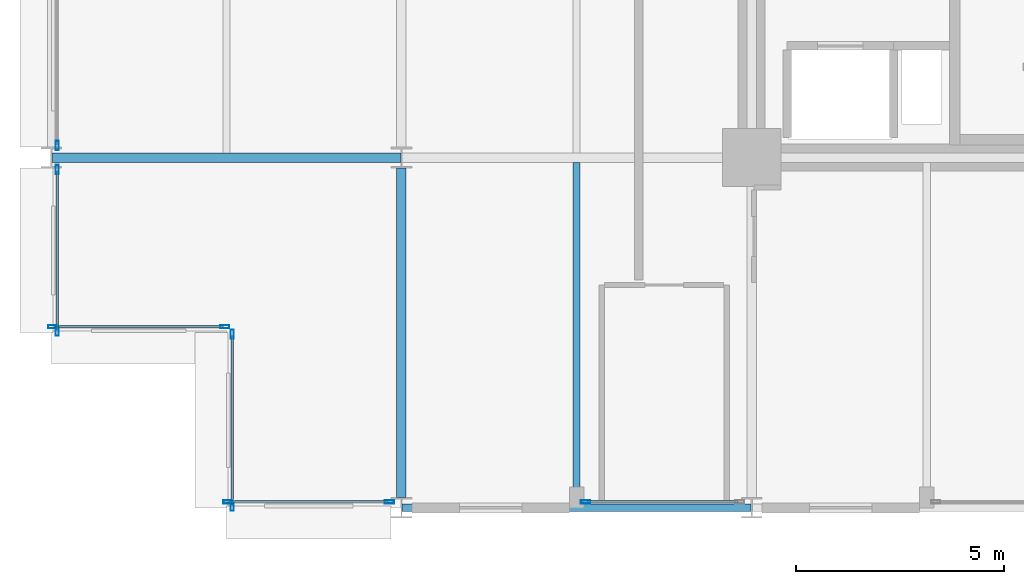
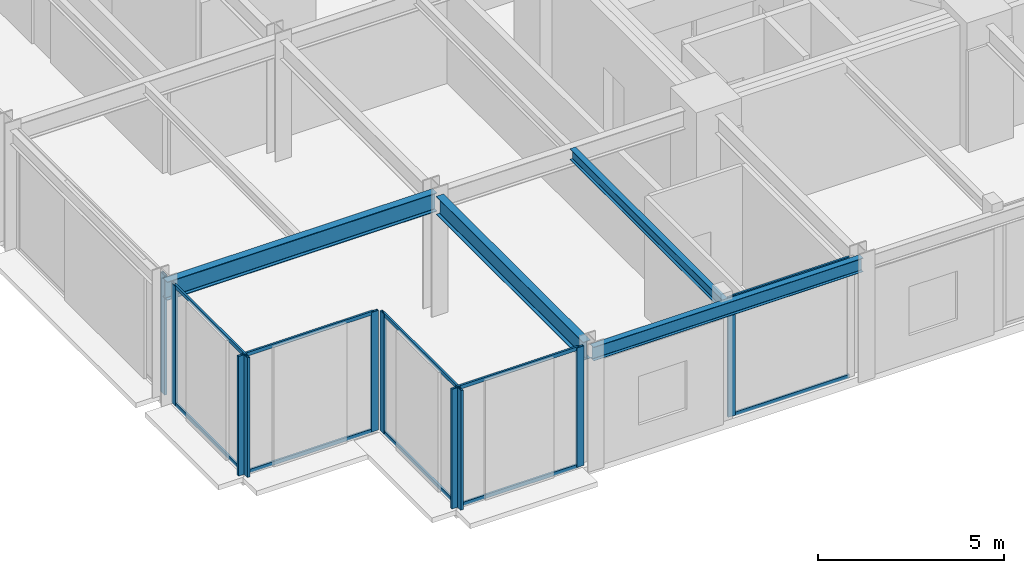
# One storey, part 2 of 25: 20 members, 4 beams, 6 elements without a shape of their own.
"""IFC4 building model written with IfcOpenShell, lengths in metres."""

from ifc_helpers import new_model, si_unit, direction, frame, origin, origin_2d, place, context, subcontext, project, spatial, hollow_rectangle, i_section, extrude, material, layer, layer_set, material_profile, profile_set, type_object, element, aggregate, save


model = new_model("IFC4")

# Units and contexts
model_context = context("Model", 3, precision=1e-05, world=origin(), true_north=direction((0.0, 1.0)))
body_context = subcontext(model_context, "Body", "Model", "MODEL_VIEW")
ifc_project = project(units=[si_unit("LENGTHUNIT", "METRE"), si_unit("AREAUNIT", "SQUARE_METRE"), si_unit("VOLUMEUNIT", "CUBIC_METRE"), si_unit("PLANEANGLEUNIT", "RADIAN"), si_unit("MASSUNIT", "GRAM", prefix="KILO")], contexts=[model_context])

# Site, building, storey
site_placement = place(None, origin())
site = spatial("IfcSite", under=ifc_project, at=site_placement, CompositionType="ELEMENT")
building_placement = place(site_placement, origin())
building = spatial("IfcBuilding", under=site, at=building_placement, Name="Nerrivon Quay Data Exchange", CompositionType="ELEMENT")
storey_placement = place(building_placement, frame((0.0, 0.0, 54.199951171875)))
storey = spatial("IfcBuildingStorey", under=building, at=storey_placement, Name="L12", CompositionType="ELEMENT", Elevation=54.199951171875)

# Beams
ifc_material_1 = material(Name="Steel Grade 350", Category="steel")
ifc_material_profile_1 = material_profile(ifc_material_1, i_section(OverallWidth=0.22900390625, OverallDepth=0.612060546875, WebThickness=0.011962890625, FlangeThickness=0.01953125, FilletRadius=0.013916015625, at=origin_2d()), Name="610UB125")
ifc_profile_set_1 = profile_set([ifc_material_profile_1], Name="Steel Grade 350")
beam_type_1 = type_object("IfcBeamType", Name="BM-G1-610UB125", PredefinedType="BEAM", material=ifc_profile_set_1)
beam_1_placement = place(storey_placement, frame((0.013916015625, 8.39990234375, 3.619140625), z_axis=(1.0, 0.0, 0.0), x_axis=(0.0, 1.0, 0.0)))
element("IfcBeam", 1, at=beam_1_placement, inside=storey, type_object=beam_type_1, Name="L12 EW Girder Y=8.4 (0.0..8.4)", PredefinedType="BEAM", context=body_context, shape_type="SweptSolid", body=[
    extrude(i_section(OverallWidth=0.22900390625, OverallDepth=0.612060546875, WebThickness=0.011962890625, FlangeThickness=0.01953125, FilletRadius=0.013916015625, at=origin_2d()), origin(), (0.0, 0.0, 1.0), 8.3720703125),
])
ifc_material_profile_2 = material_profile(ifc_material_1, i_section(OverallWidth=0.22802734375, OverallDepth=0.60205078125, WebThickness=0.010498046875, FlangeThickness=0.014892578125, FilletRadius=0.013916015625, at=origin_2d()), Name="610UB101")
ifc_profile_set_2 = profile_set([ifc_material_profile_2], Name="Steel Grade 350")
beam_type_2 = type_object("IfcBeamType", Name="BM-G2-610UB101", PredefinedType="BEAM", material=ifc_profile_set_2)
beam_2_placement = place(storey_placement, frame((8.39990234375, 0.25, 3.6240234375), z_axis=(0.0, 1.0, 0.0), x_axis=(-1.0, 0.0, 0.0)))
element("IfcBeam", 2, at=beam_2_placement, inside=storey, type_object=beam_type_2, Name="L12 NS Girder X=8.4 (0.0..8.4)", PredefinedType="BEAM", context=body_context, shape_type="SweptSolid", body=[
    extrude(i_section(OverallWidth=0.22802734375, OverallDepth=0.60205078125, WebThickness=0.010498046875, FlangeThickness=0.014892578125, FilletRadius=0.013916015625, at=origin_2d()), origin(), (0.0, 0.0, 1.0), 7.89990234375),
])
ifc_material_profile_3 = material_profile(ifc_material_1, i_section(OverallWidth=0.172119140625, OverallDepth=0.35888671875, WebThickness=0.008056640625, FlangeThickness=0.012939453125, FilletRadius=0.011474609375, at=origin_2d()), Name="360UB56.7")
ifc_profile_set_3 = profile_set([ifc_material_profile_3], Name="Steel Grade 350")
beam_type_3 = type_object("IfcBeamType", Name="BM-J3-360UB57", PredefinedType="JOIST", material=ifc_profile_set_3)
beam_3_placement = place(storey_placement, frame((12.60009765625, 0.094970703125, 3.74560546875), z_axis=(0.0, 1.0, 0.0), x_axis=(-1.0, 0.0, 0.0)))
element("IfcBeam", 3, at=beam_3_placement, inside=storey, type_object=beam_type_3, Name="L12 Secondary Joist X=12.6 (0.0..8.4)", PredefinedType="JOIST", context=body_context, shape_type="SweptSolid", body=[
    extrude(i_section(OverallWidth=0.172119140625, OverallDepth=0.35888671875, WebThickness=0.008056640625, FlangeThickness=0.012939453125, FilletRadius=0.011474609375, at=origin_2d()), origin(), (0.0, 0.0, 1.0), 8.1904296875),
])
ifc_material_profile_4 = material_profile(ifc_material_1, i_section(OverallWidth=0.18994140625, OverallDepth=0.4541015625, WebThickness=0.008544921875, FlangeThickness=0.0126953125, FilletRadius=0.011474609375, at=origin_2d()), Name="460UB67.1")
ifc_profile_set_4 = profile_set([ifc_material_profile_4], Name="Steel Grade 350")
beam_type_4 = type_object("IfcBeamType", Name="BM-SP1-460UB67", PredefinedType="SPANDREL", material=ifc_profile_set_4)
beam_4_placement = place(storey_placement, frame((8.4140625, 0.0, 3.697998046875), z_axis=(1.0, 0.0, 0.0), x_axis=(0.0, 1.0, 0.0)))
element("IfcBeam", 4, at=beam_4_placement, inside=storey, type_object=beam_type_4, Name="L12 EW Girder Y=0.0 (8.4..16.8)", PredefinedType="SPANDREL", context=body_context, shape_type="SweptSolid", body=[
    extrude(i_section(OverallWidth=0.18994140625, OverallDepth=0.4541015625, WebThickness=0.008544921875, FlangeThickness=0.0126953125, FilletRadius=0.011474609375, at=origin_2d()), origin(), (0.0, 0.0, 1.0), 8.371826171875),
])

# Curtain wall, member
ifc_material_2 = material(Name="Anodised aluminium 6063-T6", Category="aluminium")
ifc_layer = layer(ifc_material_2, 0.219970703125)
ifc_layer_set = layer_set([ifc_layer], Name="Anodised aluminium 6063-T6")
curtain_wall_type = type_object("IfcCurtainWallType", Name="CW-SYS-01", PredefinedType="NOTDEFINED", material=ifc_layer_set)
curtain_wall_1_placement = place(storey_placement, origin())
curtain_wall_1 = element("IfcCurtainWall", 5, at=curtain_wall_1_placement, inside=storey, type_object=curtain_wall_type, Name="L12 Unitised Curtain Wall 8", PredefinedType="NOTDEFINED")
ifc_material_profile_5 = material_profile(ifc_material_2, hollow_rectangle(XDim=0.074951171875, YDim=0.219970703125, WallThickness=0.00390625, at=origin_2d()), Name="ALU-MULL-220x75")
ifc_profile_set_5 = profile_set([ifc_material_profile_5], Name="Anodised aluminium 6063-T6")
member_type_1 = type_object("IfcMemberType", Name="CWM-220x75", PredefinedType="MULLION", material=ifc_profile_set_5)
member_1_placement = place(storey_placement, frame((12.8125, 0.139892578125, 0.0), z_axis=(0.0, 0.0, 1.0), x_axis=(0.0, -1.0, 0.0)))
member_1 = element("IfcMember", 6, at=member_1_placement, type_object=member_type_1, Name="CW01 mullion 2", PredefinedType="MULLION", context=body_context, shape_type="SweptSolid", body=[
    extrude(hollow_rectangle(XDim=0.074951171875, YDim=0.219970703125, WallThickness=0.00390625, at=origin_2d()), origin(), (0.0, 0.0, 1.0), 3.925048828125),
])

# Curtain wall, members
curtain_wall_2_placement = place(storey_placement, origin())
curtain_wall_2 = element("IfcCurtainWall", 7, at=curtain_wall_2_placement, inside=storey, type_object=curtain_wall_type, Name="L12 Unitised Curtain Wall 10", PredefinedType="NOTDEFINED")
member_2_placement = place(storey_placement, frame((8.112548828125, 0.139892578125, 0.0), z_axis=(0.0, 0.0, 1.0), x_axis=(0.0, -1.0, 0.0)))
member_2 = element("IfcMember", 8, at=member_2_placement, type_object=member_type_1, Name="CW01 mullion 1", PredefinedType="MULLION", context=body_context, shape_type="SweptSolid", body=[
    extrude(hollow_rectangle(XDim=0.074951171875, YDim=0.219970703125, WallThickness=0.00390625, at=origin_2d()), origin(), (0.0, 0.0, 1.0), 3.925048828125),
])
member_3_placement = place(storey_placement, frame((4.237548828125, 0.139892578125, 0.0), z_axis=(0.0, 0.0, 1.0), x_axis=(0.0, -1.0, 0.0)))
member_3 = element("IfcMember", 9, at=member_3_placement, type_object=member_type_1, Name="CW01 mullion 2", PredefinedType="MULLION", context=body_context, shape_type="SweptSolid", body=[
    extrude(hollow_rectangle(XDim=0.074951171875, YDim=0.219970703125, WallThickness=0.00390625, at=origin_2d()), origin(), (0.0, 0.0, 1.0), 3.925048828125),
])

curtain_wall_3_placement = place(storey_placement, origin())
curtain_wall_3 = element("IfcCurtainWall", 10, at=curtain_wall_3_placement, inside=storey, type_object=curtain_wall_type, Name="L12 Unitised Curtain Wall 11", PredefinedType="NOTDEFINED")
member_4_placement = place(storey_placement, frame((4.340087890625, 0.03759765625, 0.0), z_axis=(0.0, 0.0, 1.0), x_axis=(-1.0, 0.0, 0.0)))
member_4 = element("IfcMember", 11, at=member_4_placement, type_object=member_type_1, Name="CW01 mullion 1", PredefinedType="MULLION", context=body_context, shape_type="SweptSolid", body=[
    extrude(hollow_rectangle(XDim=0.074951171875, YDim=0.219970703125, WallThickness=0.00390625, at=origin_2d()), origin(), (0.0, 0.0, 1.0), 3.925048828125),
])
member_5_placement = place(storey_placement, frame((4.340087890625, 4.16259765625, 0.0), z_axis=(0.0, 0.0, 1.0), x_axis=(-1.0, 0.0, 0.0)))
member_5 = element("IfcMember", 12, at=member_5_placement, type_object=member_type_1, Name="CW01 mullion 2", PredefinedType="MULLION", context=body_context, shape_type="SweptSolid", body=[
    extrude(hollow_rectangle(XDim=0.074951171875, YDim=0.219970703125, WallThickness=0.00390625, at=origin_2d()), origin(), (0.0, 0.0, 1.0), 3.925048828125),
])

curtain_wall_4_placement = place(storey_placement, origin())
curtain_wall_4 = element("IfcCurtainWall", 13, at=curtain_wall_4_placement, inside=storey, type_object=curtain_wall_type, Name="L12 Unitised Curtain Wall 12", PredefinedType="NOTDEFINED")
member_6_placement = place(storey_placement, frame((4.16259765625, 4.340087890625, 0.0), z_axis=(0.0, 0.0, 1.0), x_axis=(0.0, -1.0, 0.0)))
member_6 = element("IfcMember", 14, at=member_6_placement, type_object=member_type_1, Name="CW01 mullion 1", PredefinedType="MULLION", context=body_context, shape_type="SweptSolid", body=[
    extrude(hollow_rectangle(XDim=0.074951171875, YDim=0.219970703125, WallThickness=0.00390625, at=origin_2d()), origin(), (0.0, 0.0, 1.0), 3.925048828125),
])
member_7_placement = place(storey_placement, frame((0.03759765625, 4.340087890625, 0.0), z_axis=(0.0, 0.0, 1.0), x_axis=(0.0, -1.0, 0.0)))
member_7 = element("IfcMember", 15, at=member_7_placement, type_object=member_type_1, Name="CW01 mullion 2", PredefinedType="MULLION", context=body_context, shape_type="SweptSolid", body=[
    extrude(hollow_rectangle(XDim=0.074951171875, YDim=0.219970703125, WallThickness=0.00390625, at=origin_2d()), origin(), (0.0, 0.0, 1.0), 3.925048828125),
])

curtain_wall_5_placement = place(storey_placement, origin())
curtain_wall_5 = element("IfcCurtainWall", 16, at=curtain_wall_5_placement, inside=storey, type_object=curtain_wall_type, Name="L12 Unitised Curtain Wall 13", PredefinedType="NOTDEFINED")
member_8_placement = place(storey_placement, frame((0.139892578125, 4.237548828125, 0.0), z_axis=(0.0, 0.0, 1.0), x_axis=(-1.0, 0.0, 0.0)))
member_8 = element("IfcMember", 17, at=member_8_placement, type_object=member_type_1, Name="CW01 mullion 1", PredefinedType="MULLION", context=body_context, shape_type="SweptSolid", body=[
    extrude(hollow_rectangle(XDim=0.074951171875, YDim=0.219970703125, WallThickness=0.00390625, at=origin_2d()), origin(), (0.0, 0.0, 1.0), 3.925048828125),
])
member_9_placement = place(storey_placement, frame((0.139892578125, 8.112548828125, 0.0), z_axis=(0.0, 0.0, 1.0), x_axis=(-1.0, 0.0, 0.0)))
member_9 = element("IfcMember", 18, at=member_9_placement, type_object=member_type_1, Name="CW01 mullion 2", PredefinedType="MULLION", context=body_context, shape_type="SweptSolid", body=[
    extrude(hollow_rectangle(XDim=0.074951171875, YDim=0.219970703125, WallThickness=0.00390625, at=origin_2d()), origin(), (0.0, 0.0, 1.0), 3.925048828125),
])

# Curtain wall, member
curtain_wall_6_placement = place(storey_placement, origin())
curtain_wall_6 = element("IfcCurtainWall", 19, at=curtain_wall_6_placement, inside=storey, type_object=curtain_wall_type, Name="L12 Unitised Curtain Wall 14", PredefinedType="NOTDEFINED")
member_10_placement = place(storey_placement, frame((0.139892578125, 8.6875, 0.0), z_axis=(0.0, 0.0, 1.0), x_axis=(-1.0, 0.0, 0.0)))
member_10 = element("IfcMember", 20, at=member_10_placement, type_object=member_type_1, Name="CW01 mullion 1", PredefinedType="MULLION", context=body_context, shape_type="SweptSolid", body=[
    extrude(hollow_rectangle(XDim=0.074951171875, YDim=0.219970703125, WallThickness=0.00390625, at=origin_2d()), origin(), (0.0, 0.0, 1.0), 3.925048828125),
])
aggregate(curtain_wall_6, [member_10])

# Member
ifc_material_profile_6 = material_profile(ifc_material_2, hollow_rectangle(XDim=0.06005859375, YDim=0.1201171875, WallThickness=0.003173828125, at=origin_2d()), Name="ALU-TRAN-120x60")
ifc_profile_set_6 = profile_set([ifc_material_profile_6], Name="Anodised aluminium 6063-T6")
member_type_2 = type_object("IfcMemberType", Name="CWT-120x60", PredefinedType="USERDEFINED", material=ifc_profile_set_6)
member_11_placement = place(storey_placement, frame((16.47509765625, 0.139892578125, 0.032470703125), z_axis=(-1.0, 0.0, 0.0), x_axis=(0.0, -1.0, 0.0)))
member_11 = element("IfcMember", 21, at=member_11_placement, type_object=member_type_2, Name="CW01 transom 1.1", ObjectType="TRANSOM", PredefinedType="USERDEFINED", context=body_context, shape_type="SweptSolid", body=[
    extrude(hollow_rectangle(XDim=0.06005859375, YDim=0.1201171875, WallThickness=0.003173828125, at=origin_2d()), origin(), (0.0, 0.0, 1.0), 3.625),
])

member_12_placement = place(storey_placement, frame((16.47509765625, 0.139892578125, 3.892578125), z_axis=(-1.0, 0.0, 0.0), x_axis=(0.0, -1.0, 0.0)))
member_12 = element("IfcMember", 22, at=member_12_placement, type_object=member_type_2, Name="CW01 transom 1.2", ObjectType="TRANSOM", PredefinedType="USERDEFINED", context=body_context, shape_type="SweptSolid", body=[
    extrude(hollow_rectangle(XDim=0.06005859375, YDim=0.1201171875, WallThickness=0.003173828125, at=origin_2d()), origin(), (0.0, 0.0, 1.0), 3.625),
])

aggregate(curtain_wall_1, [member_1, member_11, member_12])

member_13_placement = place(storey_placement, frame((8.074951171875, 0.139892578125, 0.032470703125), z_axis=(-1.0, 0.0, 0.0), x_axis=(0.0, -1.0, 0.0)))
member_13 = element("IfcMember", 23, at=member_13_placement, type_object=member_type_2, Name="CW01 transom 1.1", ObjectType="TRANSOM", PredefinedType="USERDEFINED", context=body_context, shape_type="SweptSolid", body=[
    extrude(hollow_rectangle(XDim=0.06005859375, YDim=0.1201171875, WallThickness=0.003173828125, at=origin_2d()), origin(), (0.0, 0.0, 1.0), 3.800048828125),
])

member_14_placement = place(storey_placement, frame((8.074951171875, 0.139892578125, 3.892578125), z_axis=(-1.0, 0.0, 0.0), x_axis=(0.0, -1.0, 0.0)))
member_14 = element("IfcMember", 24, at=member_14_placement, type_object=member_type_2, Name="CW01 transom 1.2", ObjectType="TRANSOM", PredefinedType="USERDEFINED", context=body_context, shape_type="SweptSolid", body=[
    extrude(hollow_rectangle(XDim=0.06005859375, YDim=0.1201171875, WallThickness=0.003173828125, at=origin_2d()), origin(), (0.0, 0.0, 1.0), 3.800048828125),
])

aggregate(curtain_wall_2, [member_2, member_3, member_13, member_14])

member_15_placement = place(storey_placement, frame((4.340087890625, 0.074951171875, 0.032470703125), z_axis=(0.0, 1.0, 0.0), x_axis=(-1.0, 0.0, 0.0)))
member_15 = element("IfcMember", 25, at=member_15_placement, type_object=member_type_2, Name="CW01 transom 1.1", ObjectType="TRANSOM", PredefinedType="USERDEFINED", context=body_context, shape_type="SweptSolid", body=[
    extrude(hollow_rectangle(XDim=0.06005859375, YDim=0.1201171875, WallThickness=0.003173828125, at=origin_2d()), origin(), (0.0, 0.0, 1.0), 4.050048828125),
])

member_16_placement = place(storey_placement, frame((4.340087890625, 0.074951171875, 3.892578125), z_axis=(0.0, 1.0, 0.0), x_axis=(-1.0, 0.0, 0.0)))
member_16 = element("IfcMember", 26, at=member_16_placement, type_object=member_type_2, Name="CW01 transom 1.2", ObjectType="TRANSOM", PredefinedType="USERDEFINED", context=body_context, shape_type="SweptSolid", body=[
    extrude(hollow_rectangle(XDim=0.06005859375, YDim=0.1201171875, WallThickness=0.003173828125, at=origin_2d()), origin(), (0.0, 0.0, 1.0), 4.050048828125),
])

aggregate(curtain_wall_3, [member_4, member_5, member_15, member_16])

member_17_placement = place(storey_placement, frame((4.125, 4.340087890625, 0.032470703125), z_axis=(-1.0, 0.0, 0.0), x_axis=(0.0, -1.0, 0.0)))
member_17 = element("IfcMember", 27, at=member_17_placement, type_object=member_type_2, Name="CW01 transom 1.1", ObjectType="TRANSOM", PredefinedType="USERDEFINED", context=body_context, shape_type="SweptSolid", body=[
    extrude(hollow_rectangle(XDim=0.06005859375, YDim=0.1201171875, WallThickness=0.003173828125, at=origin_2d()), origin(), (0.0, 0.0, 1.0), 4.050048828125),
])

member_18_placement = place(storey_placement, frame((4.125, 4.340087890625, 3.892578125), z_axis=(-1.0, 0.0, 0.0), x_axis=(0.0, -1.0, 0.0)))
member_18 = element("IfcMember", 28, at=member_18_placement, type_object=member_type_2, Name="CW01 transom 1.2", ObjectType="TRANSOM", PredefinedType="USERDEFINED", context=body_context, shape_type="SweptSolid", body=[
    extrude(hollow_rectangle(XDim=0.06005859375, YDim=0.1201171875, WallThickness=0.003173828125, at=origin_2d()), origin(), (0.0, 0.0, 1.0), 4.050048828125),
])

aggregate(curtain_wall_4, [member_6, member_7, member_17, member_18])

member_19_placement = place(storey_placement, frame((0.139892578125, 4.27490234375, 0.032470703125), z_axis=(0.0, 1.0, 0.0), x_axis=(-1.0, 0.0, 0.0)))
member_19 = element("IfcMember", 29, at=member_19_placement, type_object=member_type_2, Name="CW01 transom 1.1", ObjectType="TRANSOM", PredefinedType="USERDEFINED", context=body_context, shape_type="SweptSolid", body=[
    extrude(hollow_rectangle(XDim=0.06005859375, YDim=0.1201171875, WallThickness=0.003173828125, at=origin_2d()), origin(), (0.0, 0.0, 1.0), 3.800048828125),
])

member_20_placement = place(storey_placement, frame((0.139892578125, 4.27490234375, 3.892578125), z_axis=(0.0, 1.0, 0.0), x_axis=(-1.0, 0.0, 0.0)))
member_20 = element("IfcMember", 30, at=member_20_placement, type_object=member_type_2, Name="CW01 transom 1.2", ObjectType="TRANSOM", PredefinedType="USERDEFINED", context=body_context, shape_type="SweptSolid", body=[
    extrude(hollow_rectangle(XDim=0.06005859375, YDim=0.1201171875, WallThickness=0.003173828125, at=origin_2d()), origin(), (0.0, 0.0, 1.0), 3.800048828125),
])

aggregate(curtain_wall_5, [member_8, member_9, member_19, member_20])

save(model, "model.ifc")
